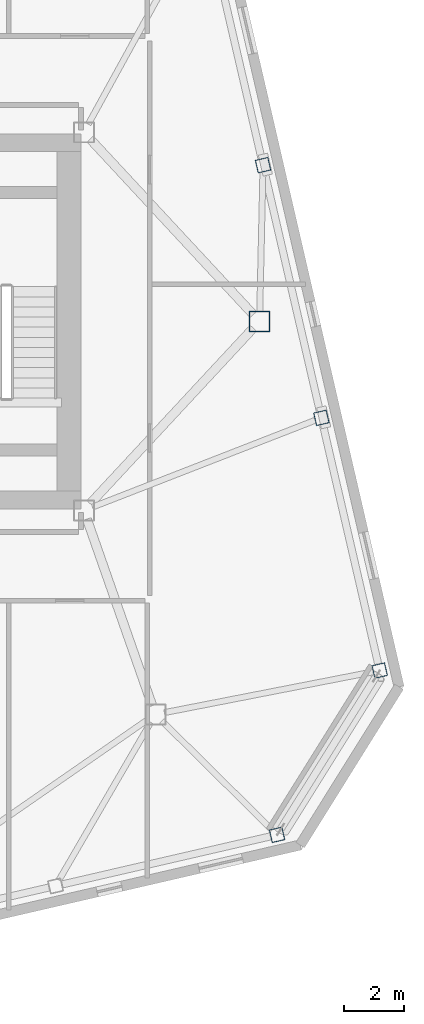
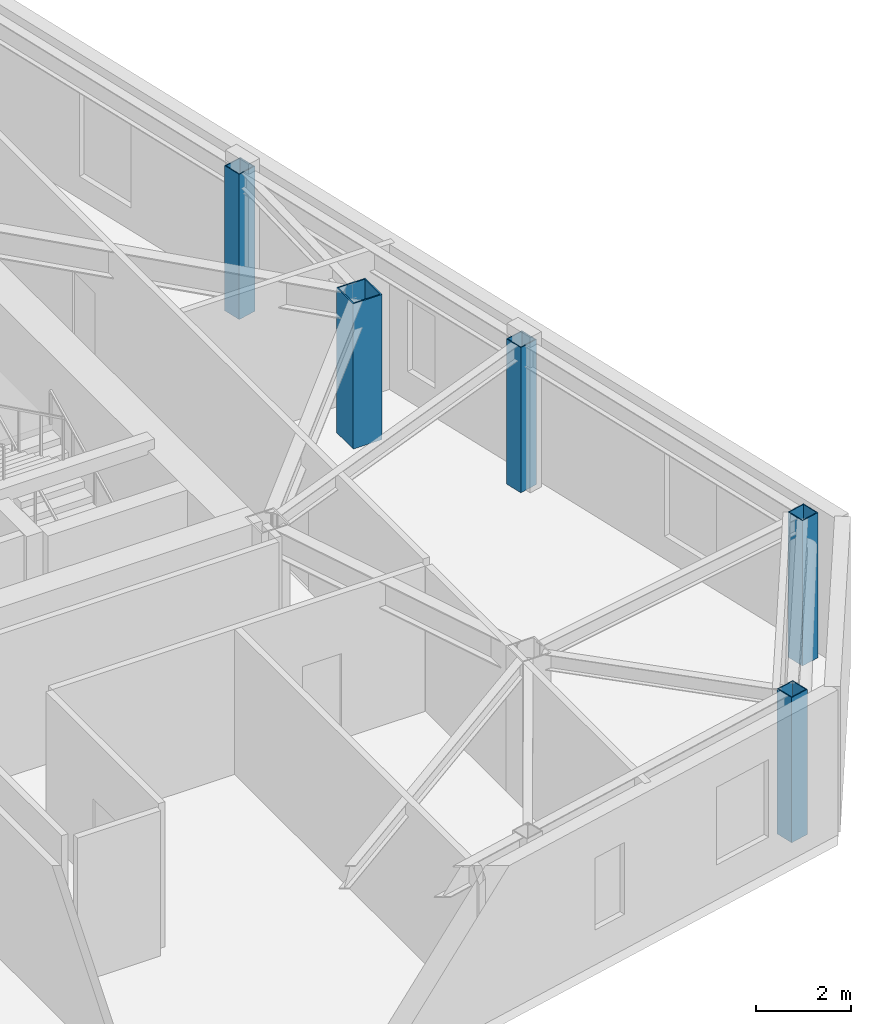
# One storey, part 4 of 24: 5 columns.
"""IFC4 building model written with IfcOpenShell, lengths in metres."""

from ifc_helpers import new_model, si_unit, direction, frame, origin, origin_2d, place, context, subcontext, project, spatial, hollow_rectangle, extrude, material, material_profile, profile_set, type_object, element, save


model = new_model("IFC4")

# Units and contexts
model_context = context("Model", 3, precision=1e-05, world=origin(), true_north=direction((0.0, 1.0)))
body_context = subcontext(model_context, "Body", "Model", "MODEL_VIEW")
ifc_project = project(units=[si_unit("LENGTHUNIT", "METRE"), si_unit("AREAUNIT", "SQUARE_METRE"), si_unit("VOLUMEUNIT", "CUBIC_METRE"), si_unit("PLANEANGLEUNIT", "RADIAN"), si_unit("MASSUNIT", "GRAM", prefix="KILO")], contexts=[model_context])

# Site, building, storey
site_placement = place(None, origin())
site = spatial("IfcSite", under=ifc_project, at=site_placement, CompositionType="ELEMENT")
building_placement = place(site_placement, origin())
building = spatial("IfcBuilding", under=site, at=building_placement, Name="Tavrogorsk Clinical Tower", CompositionType="ELEMENT")
storey_placement = place(building_placement, frame((0.0, 0.0, 309.0)))
storey = spatial("IfcBuildingStorey", under=building, at=storey_placement, Name="L72", CompositionType="ELEMENT", Elevation=309.0)

# Columns
ifc_material_1 = material(Name="Structural steel S440", Category="steel")
ifc_material_profile_1 = material_profile(ifc_material_1, hollow_rectangle(XDim=0.699951171875, YDim=0.699951171875, WallThickness=0.031982421875, at=origin_2d()), Name="BOX-700x700x32")
ifc_profile_set_1 = profile_set([ifc_material_profile_1], Name="Structural steel S440")
column_type_1 = type_object("IfcColumnType", Name="MegaCol_BOX700", PredefinedType="COLUMN", material=ifc_profile_set_1)
column_placement = place(storey_placement, frame((28.0, 0.0, 0.0), z_axis=(0.0, 0.0, 1.0), x_axis=(1.0, 0.0, 0.0)))
element("IfcColumn", 1, at=column_placement, inside=storey, type_object=column_type_1, Name="L72 Spine Pilotis Column MC-P6", PredefinedType="COLUMN", context=body_context, shape_type="SweptSolid", body=[
    extrude(hollow_rectangle(XDim=0.699951171875, YDim=0.699951171875, WallThickness=0.031982421875, at=origin_2d()), origin(), (0.0, 0.0, 1.0), 3.739990234375),
])
ifc_material_2 = material(Name="Structural steel S440", Category="steel")
ifc_material_profile_2 = material_profile(ifc_material_2, hollow_rectangle(XDim=0.449951171875, YDim=0.449951171875, WallThickness=0.02197265625, at=origin_2d()), Name="BOX-450x450x22")
ifc_profile_set_2 = profile_set([ifc_material_profile_2], Name="Structural steel S440")
column_type_2 = type_object("IfcColumnType", Name="PerimCol_B5_BOX450", PredefinedType="COLUMN", material=ifc_profile_set_2)
for number, where, z_axis, x_axis, name in (
    (2, (28.588623046875, -17.244873046875, 0.0), (0.0, 0.0, 1.0), (0.974370064785, 0.224951054344, 0.0), "L72 Perimeter Column S8"),
    (3, (32.035888671875, -11.72802734375, 0.0), (0.0, 0.0, 1.0), (0.974370064785, 0.224951054344, 0.0), "L72 Perimeter Column E1"),
    (4, (30.07666015625, -3.2412109375, 0.0), (0.0, 0.0, 1.0), (0.974370064785, 0.224951054344, 0.0), "L72 Perimeter Column E2"),
    (5, (28.1171875, 5.24560546875, 0.0), (0.0, 0.0, 1.0), (0.974370064785, 0.224951054344, 0.0), "L72 Perimeter Column E3"),
):
    element("IfcColumn", number, at=place(storey_placement, frame(where, z_axis=z_axis, x_axis=x_axis)), inside=storey, type_object=column_type_2, Name=name, PredefinedType="COLUMN", context=body_context, shape_type="SweptSolid", body=[
        extrude(hollow_rectangle(XDim=0.449951171875, YDim=0.449951171875, WallThickness=0.02197265625, at=origin_2d()), origin(), (0.0, 0.0, 1.0), 3.739990234375),
    ])

save(model, "model.ifc")
